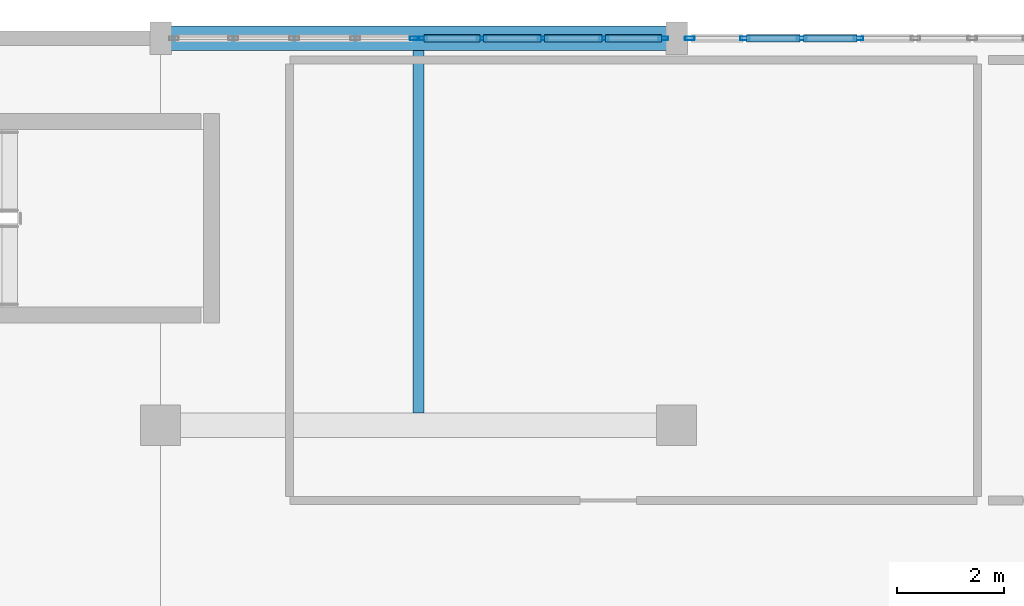
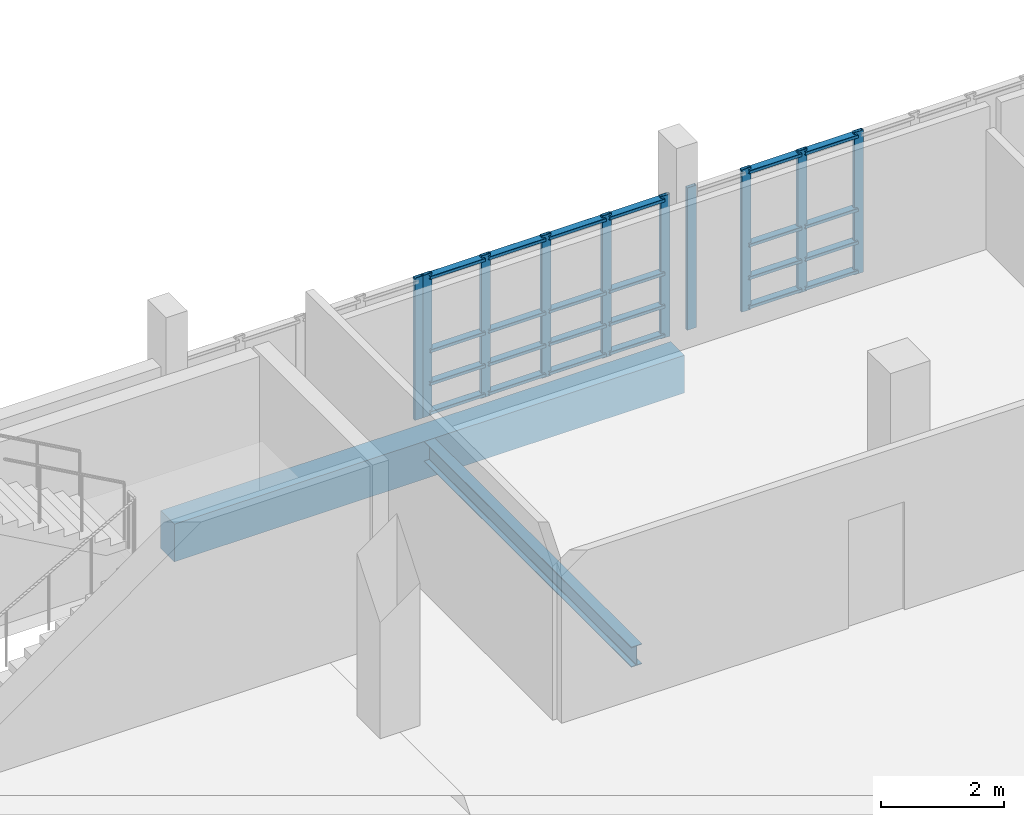
# One storey, part 124 of 188: 34 members, 2 beams, 3 elements without a shape of their own.
"""IFC4 building model written with IfcOpenShell, lengths in metres."""

from ifc_helpers import new_model, si_unit, direction, frame, origin, origin_2d, place, context, subcontext, project, spatial, rectangle, hollow_rectangle, i_section, extrude, material, layer, layer_set, material_profile, profile_set, type_object, element, aggregate, save


model = new_model("IFC4")

# Units and contexts
model_context = context("Model", 3, precision=1e-05, world=origin(), true_north=direction((0.0, 1.0)))
body_context = subcontext(model_context, "Body", "Model", "MODEL_VIEW")
ifc_project = project(units=[si_unit("LENGTHUNIT", "METRE"), si_unit("AREAUNIT", "SQUARE_METRE"), si_unit("VOLUMEUNIT", "CUBIC_METRE"), si_unit("PLANEANGLEUNIT", "RADIAN"), si_unit("MASSUNIT", "GRAM", prefix="KILO")], contexts=[model_context])

# Site, building, storey
site_placement = place(None, origin())
site = spatial("IfcSite", under=ifc_project, at=site_placement, CompositionType="ELEMENT")
building_placement = place(site_placement, origin())
building = spatial("IfcBuilding", under=site, at=building_placement, Name="Kisaragi Civic Commons", CompositionType="ELEMENT")
storey_placement = place(building_placement, frame((0.0, 0.0, 9.60009765625)))
storey = spatial("IfcBuildingStorey", under=building, at=storey_placement, Name="L02", CompositionType="ELEMENT", Elevation=9.60009765625)

# Curtain wall, member
ifc_material_1 = material(Name="Thermally broken anodized aluminium and low-E double glazing", Category="aluminium")
ifc_layer = layer(ifc_material_1, 0.179931640625, Name="Thermally broken anodized aluminium and low-E double glazing", Category="aluminium")
ifc_layer_set = layer_set([ifc_layer], Name="Thermally broken anodized aluminium and low-E double glazing")
curtain_wall_type = type_object("IfcCurtainWallType", Name="CW-01", PredefinedType="NOTDEFINED", material=ifc_layer_set)
curtain_wall_1_placement = place(storey_placement, origin())
curtain_wall_1 = element("IfcCurtainWall", 1, at=curtain_wall_1_placement, inside=storey, type_object=curtain_wall_type, Name="L02 curtain wall CW-01 CW-V4-L02-085", PredefinedType="NOTDEFINED")
ifc_material_profile_1 = material_profile(ifc_material_1, hollow_rectangle(XDim=0.06494140625, YDim=0.179931640625, WallThickness=0.00439453125, InnerFilletRadius=0.00439453125, OuterFilletRadius=0.009033203125, at=origin_2d()), Name="CWM-65x180x4.5", Category="aluminium")
ifc_profile_set_1 = profile_set([ifc_material_profile_1], Name="Thermally broken anodized aluminium and low-E double glazing")
member_type_1 = type_object("IfcMemberType", Name="CWM-02", PredefinedType="MULLION", material=ifc_profile_set_1)
member_1_placement = place(storey_placement, frame((128.327392578125, 118.800048828125, 0.0), z_axis=(0.0, 0.0, 1.0), x_axis=(0.0, 1.0, 0.0)))
member_1 = element("IfcMember", 2, at=member_1_placement, type_object=member_type_1, Name="CW-01 mullion 5", PredefinedType="MULLION", context=body_context, shape_type="SweptSolid", body=[
    extrude(hollow_rectangle(XDim=0.06494140625, YDim=0.179931640625, WallThickness=0.00439453125, InnerFilletRadius=0.00439453125, OuterFilletRadius=0.009033203125, at=origin_2d()), origin(), (0.0, 0.0, 1.0), 2.829833984375),
])
aggregate(curtain_wall_1, [member_1])

# Curtain wall, members
curtain_wall_2_placement = place(storey_placement, origin())
curtain_wall_2 = element("IfcCurtainWall", 3, at=curtain_wall_2_placement, inside=storey, type_object=curtain_wall_type, Name="L02 curtain wall CW-01 CW-V4-L02-086", PredefinedType="NOTDEFINED")
member_2_placement = place(storey_placement, frame((128.472412109375, 118.800048828125, 0.0), z_axis=(0.0, 0.0, 1.0), x_axis=(0.0, 1.0, 0.0)))
member_2 = element("IfcMember", 4, at=member_2_placement, type_object=member_type_1, Name="CW-01 mullion 1", PredefinedType="MULLION", context=body_context, shape_type="SweptSolid", body=[
    extrude(hollow_rectangle(XDim=0.06494140625, YDim=0.179931640625, WallThickness=0.00439453125, InnerFilletRadius=0.00439453125, OuterFilletRadius=0.009033203125, at=origin_2d()), origin(), (0.0, 0.0, 1.0), 2.829833984375),
])
member_3_placement = place(storey_placement, frame((129.576171875, 118.800048828125, 0.0), z_axis=(0.0, 0.0, 1.0), x_axis=(0.0, 1.0, 0.0)))
member_3 = element("IfcMember", 5, at=member_3_placement, type_object=member_type_1, Name="CW-01 mullion 2", PredefinedType="MULLION", context=body_context, shape_type="SweptSolid", body=[
    extrude(hollow_rectangle(XDim=0.06494140625, YDim=0.179931640625, WallThickness=0.00439453125, InnerFilletRadius=0.00439453125, OuterFilletRadius=0.009033203125, at=origin_2d()), origin(), (0.0, 0.0, 1.0), 2.829833984375),
])
member_4_placement = place(storey_placement, frame((130.71240234375, 118.800048828125, 0.0), z_axis=(0.0, 0.0, 1.0), x_axis=(0.0, 1.0, 0.0)))
member_4 = element("IfcMember", 6, at=member_4_placement, type_object=member_type_1, Name="CW-01 mullion 3", PredefinedType="MULLION", context=body_context, shape_type="SweptSolid", body=[
    extrude(hollow_rectangle(XDim=0.06494140625, YDim=0.179931640625, WallThickness=0.00439453125, InnerFilletRadius=0.00439453125, OuterFilletRadius=0.009033203125, at=origin_2d()), origin(), (0.0, 0.0, 1.0), 2.829833984375),
])
member_5_placement = place(storey_placement, frame((131.8486328125, 118.800048828125, 0.0), z_axis=(0.0, 0.0, 1.0), x_axis=(0.0, 1.0, 0.0)))
member_5 = element("IfcMember", 7, at=member_5_placement, type_object=member_type_1, Name="CW-01 mullion 4", PredefinedType="MULLION", context=body_context, shape_type="SweptSolid", body=[
    extrude(hollow_rectangle(XDim=0.06494140625, YDim=0.179931640625, WallThickness=0.00439453125, InnerFilletRadius=0.00439453125, OuterFilletRadius=0.009033203125, at=origin_2d()), origin(), (0.0, 0.0, 1.0), 2.829833984375),
])
member_6_placement = place(storey_placement, frame((132.952392578125, 118.800048828125, 0.0), z_axis=(0.0, 0.0, 1.0), x_axis=(0.0, 1.0, 0.0)))
member_6 = element("IfcMember", 8, at=member_6_placement, type_object=member_type_1, Name="CW-01 mullion 5", PredefinedType="MULLION", context=body_context, shape_type="SweptSolid", body=[
    extrude(hollow_rectangle(XDim=0.06494140625, YDim=0.179931640625, WallThickness=0.00439453125, InnerFilletRadius=0.00439453125, OuterFilletRadius=0.009033203125, at=origin_2d()), origin(), (0.0, 0.0, 1.0), 2.829833984375),
])

curtain_wall_3_placement = place(storey_placement, origin())
curtain_wall_3 = element("IfcCurtainWall", 9, at=curtain_wall_3_placement, inside=storey, type_object=curtain_wall_type, Name="L02 curtain wall CW-01 CW-V4-L02-087", PredefinedType="NOTDEFINED")
member_7_placement = place(storey_placement, frame((133.447509765625, 118.800048828125, 0.0), z_axis=(0.0, 0.0, 1.0), x_axis=(0.0, 1.0, 0.0)))
member_7 = element("IfcMember", 10, at=member_7_placement, type_object=member_type_1, Name="CW-01 mullion 1", PredefinedType="MULLION", context=body_context, shape_type="SweptSolid", body=[
    extrude(hollow_rectangle(XDim=0.06494140625, YDim=0.179931640625, WallThickness=0.00439453125, InnerFilletRadius=0.00439453125, OuterFilletRadius=0.009033203125, at=origin_2d()), origin(), (0.0, 0.0, 1.0), 2.829833984375),
])
member_8_placement = place(storey_placement, frame((134.472412109375, 118.800048828125, 0.0), z_axis=(0.0, 0.0, 1.0), x_axis=(0.0, 1.0, 0.0)))
member_8 = element("IfcMember", 11, at=member_8_placement, type_object=member_type_1, Name="CW-01 mullion 2", PredefinedType="MULLION", context=body_context, shape_type="SweptSolid", body=[
    extrude(hollow_rectangle(XDim=0.06494140625, YDim=0.179931640625, WallThickness=0.00439453125, InnerFilletRadius=0.00439453125, OuterFilletRadius=0.009033203125, at=origin_2d()), origin(), (0.0, 0.0, 1.0), 2.829833984375),
])
member_9_placement = place(storey_placement, frame((135.530029296875, 118.800048828125, 0.0), z_axis=(0.0, 0.0, 1.0), x_axis=(0.0, 1.0, 0.0)))
member_9 = element("IfcMember", 12, at=member_9_placement, type_object=member_type_1, Name="CW-01 mullion 3", PredefinedType="MULLION", context=body_context, shape_type="SweptSolid", body=[
    extrude(hollow_rectangle(XDim=0.06494140625, YDim=0.179931640625, WallThickness=0.00439453125, InnerFilletRadius=0.00439453125, OuterFilletRadius=0.009033203125, at=origin_2d()), origin(), (0.0, 0.0, 1.0), 2.829833984375),
])
member_10_placement = place(storey_placement, frame((136.58740234375, 118.800048828125, 0.0), z_axis=(0.0, 0.0, 1.0), x_axis=(0.0, 1.0, 0.0)))
member_10 = element("IfcMember", 13, at=member_10_placement, type_object=member_type_1, Name="CW-01 mullion 4", PredefinedType="MULLION", context=body_context, shape_type="SweptSolid", body=[
    extrude(hollow_rectangle(XDim=0.06494140625, YDim=0.179931640625, WallThickness=0.00439453125, InnerFilletRadius=0.00439453125, OuterFilletRadius=0.009033203125, at=origin_2d()), origin(), (0.0, 0.0, 1.0), 2.829833984375),
])

# Member
ifc_material_profile_2 = material_profile(ifc_material_1, hollow_rectangle(XDim=0.139892578125, YDim=0.06494140625, WallThickness=0.00439453125, InnerFilletRadius=0.00439453125, OuterFilletRadius=0.009033203125, at=origin_2d()), Name="CWT-65x140x4.5", Category="aluminium")
ifc_profile_set_2 = profile_set([ifc_material_profile_2], Name="Thermally broken anodized aluminium and low-E double glazing")
member_type_2 = type_object("IfcMemberType", Name="CWT-02", PredefinedType="USERDEFINED", material=ifc_profile_set_2)
member_11_placement = place(storey_placement, frame((128.5048828125, 118.800048828125, 0.06982421875), z_axis=(1.0, 0.0, 0.0), x_axis=(0.0, 1.0, 0.0)))
member_11 = element("IfcMember", 14, at=member_11_placement, type_object=member_type_2, Name="CW-01 transom 1.1", ObjectType="TRANSOM", PredefinedType="USERDEFINED", context=body_context, shape_type="SweptSolid", body=[
    extrude(hollow_rectangle(XDim=0.139892578125, YDim=0.06494140625, WallThickness=0.00439453125, InnerFilletRadius=0.00439453125, OuterFilletRadius=0.009033203125, at=origin_2d()), origin(), (0.0, 0.0, 1.0), 1.038818359375),
])

member_12_placement = place(storey_placement, frame((128.5048828125, 118.800048828125, 0.64990234375), z_axis=(1.0, 0.0, 0.0), x_axis=(0.0, 1.0, 0.0)))
member_12 = element("IfcMember", 15, at=member_12_placement, type_object=member_type_2, Name="CW-01 transom 1.2", ObjectType="TRANSOM", PredefinedType="USERDEFINED", context=body_context, shape_type="SweptSolid", body=[
    extrude(hollow_rectangle(XDim=0.139892578125, YDim=0.06494140625, WallThickness=0.00439453125, InnerFilletRadius=0.00439453125, OuterFilletRadius=0.009033203125, at=origin_2d()), origin(), (0.0, 0.0, 1.0), 1.038818359375),
])

member_13_placement = place(storey_placement, frame((128.5048828125, 118.800048828125, 1.2998046875), z_axis=(1.0, 0.0, 0.0), x_axis=(0.0, 1.0, 0.0)))
member_13 = element("IfcMember", 16, at=member_13_placement, type_object=member_type_2, Name="CW-01 transom 1.3", ObjectType="TRANSOM", PredefinedType="USERDEFINED", context=body_context, shape_type="SweptSolid", body=[
    extrude(hollow_rectangle(XDim=0.139892578125, YDim=0.06494140625, WallThickness=0.00439453125, InnerFilletRadius=0.00439453125, OuterFilletRadius=0.009033203125, at=origin_2d()), origin(), (0.0, 0.0, 1.0), 1.038818359375),
])

member_14_placement = place(storey_placement, frame((128.5048828125, 118.800048828125, 2.760009765625), z_axis=(1.0, 0.0, 0.0), x_axis=(0.0, 1.0, 0.0)))
member_14 = element("IfcMember", 17, at=member_14_placement, type_object=member_type_2, Name="CW-01 transom 1.4", ObjectType="TRANSOM", PredefinedType="USERDEFINED", context=body_context, shape_type="SweptSolid", body=[
    extrude(hollow_rectangle(XDim=0.139892578125, YDim=0.06494140625, WallThickness=0.00439453125, InnerFilletRadius=0.00439453125, OuterFilletRadius=0.009033203125, at=origin_2d()), origin(), (0.0, 0.0, 1.0), 1.038818359375),
])

member_15_placement = place(storey_placement, frame((129.608642578125, 118.800048828125, 0.06982421875), z_axis=(1.0, 0.0, 0.0), x_axis=(0.0, 1.0, 0.0)))
member_15 = element("IfcMember", 18, at=member_15_placement, type_object=member_type_2, Name="CW-01 transom 2.1", ObjectType="TRANSOM", PredefinedType="USERDEFINED", context=body_context, shape_type="SweptSolid", body=[
    extrude(hollow_rectangle(XDim=0.139892578125, YDim=0.06494140625, WallThickness=0.00439453125, InnerFilletRadius=0.00439453125, OuterFilletRadius=0.009033203125, at=origin_2d()), origin(), (0.0, 0.0, 1.0), 1.0712890625),
])

member_16_placement = place(storey_placement, frame((129.608642578125, 118.800048828125, 0.64990234375), z_axis=(1.0, 0.0, 0.0), x_axis=(0.0, 1.0, 0.0)))
member_16 = element("IfcMember", 19, at=member_16_placement, type_object=member_type_2, Name="CW-01 transom 2.2", ObjectType="TRANSOM", PredefinedType="USERDEFINED", context=body_context, shape_type="SweptSolid", body=[
    extrude(hollow_rectangle(XDim=0.139892578125, YDim=0.06494140625, WallThickness=0.00439453125, InnerFilletRadius=0.00439453125, OuterFilletRadius=0.009033203125, at=origin_2d()), origin(), (0.0, 0.0, 1.0), 1.0712890625),
])

member_17_placement = place(storey_placement, frame((129.608642578125, 118.800048828125, 1.2998046875), z_axis=(1.0, 0.0, 0.0), x_axis=(0.0, 1.0, 0.0)))
member_17 = element("IfcMember", 20, at=member_17_placement, type_object=member_type_2, Name="CW-01 transom 2.3", ObjectType="TRANSOM", PredefinedType="USERDEFINED", context=body_context, shape_type="SweptSolid", body=[
    extrude(hollow_rectangle(XDim=0.139892578125, YDim=0.06494140625, WallThickness=0.00439453125, InnerFilletRadius=0.00439453125, OuterFilletRadius=0.009033203125, at=origin_2d()), origin(), (0.0, 0.0, 1.0), 1.0712890625),
])

member_18_placement = place(storey_placement, frame((129.608642578125, 118.800048828125, 2.760009765625), z_axis=(1.0, 0.0, 0.0), x_axis=(0.0, 1.0, 0.0)))
member_18 = element("IfcMember", 21, at=member_18_placement, type_object=member_type_2, Name="CW-01 transom 2.4", ObjectType="TRANSOM", PredefinedType="USERDEFINED", context=body_context, shape_type="SweptSolid", body=[
    extrude(hollow_rectangle(XDim=0.139892578125, YDim=0.06494140625, WallThickness=0.00439453125, InnerFilletRadius=0.00439453125, OuterFilletRadius=0.009033203125, at=origin_2d()), origin(), (0.0, 0.0, 1.0), 1.0712890625),
])

member_19_placement = place(storey_placement, frame((130.7451171875, 118.800048828125, 0.06982421875), z_axis=(1.0, 0.0, 0.0), x_axis=(0.0, 1.0, 0.0)))
member_19 = element("IfcMember", 22, at=member_19_placement, type_object=member_type_2, Name="CW-01 transom 3.1", ObjectType="TRANSOM", PredefinedType="USERDEFINED", context=body_context, shape_type="SweptSolid", body=[
    extrude(hollow_rectangle(XDim=0.139892578125, YDim=0.06494140625, WallThickness=0.00439453125, InnerFilletRadius=0.00439453125, OuterFilletRadius=0.009033203125, at=origin_2d()), origin(), (0.0, 0.0, 1.0), 1.071044921875),
])

member_20_placement = place(storey_placement, frame((130.7451171875, 118.800048828125, 0.64990234375), z_axis=(1.0, 0.0, 0.0), x_axis=(0.0, 1.0, 0.0)))
member_20 = element("IfcMember", 23, at=member_20_placement, type_object=member_type_2, Name="CW-01 transom 3.2", ObjectType="TRANSOM", PredefinedType="USERDEFINED", context=body_context, shape_type="SweptSolid", body=[
    extrude(hollow_rectangle(XDim=0.139892578125, YDim=0.06494140625, WallThickness=0.00439453125, InnerFilletRadius=0.00439453125, OuterFilletRadius=0.009033203125, at=origin_2d()), origin(), (0.0, 0.0, 1.0), 1.071044921875),
])

member_21_placement = place(storey_placement, frame((130.7451171875, 118.800048828125, 1.2998046875), z_axis=(1.0, 0.0, 0.0), x_axis=(0.0, 1.0, 0.0)))
member_21 = element("IfcMember", 24, at=member_21_placement, type_object=member_type_2, Name="CW-01 transom 3.3", ObjectType="TRANSOM", PredefinedType="USERDEFINED", context=body_context, shape_type="SweptSolid", body=[
    extrude(hollow_rectangle(XDim=0.139892578125, YDim=0.06494140625, WallThickness=0.00439453125, InnerFilletRadius=0.00439453125, OuterFilletRadius=0.009033203125, at=origin_2d()), origin(), (0.0, 0.0, 1.0), 1.071044921875),
])

member_22_placement = place(storey_placement, frame((130.7451171875, 118.800048828125, 2.760009765625), z_axis=(1.0, 0.0, 0.0), x_axis=(0.0, 1.0, 0.0)))
member_22 = element("IfcMember", 25, at=member_22_placement, type_object=member_type_2, Name="CW-01 transom 3.4", ObjectType="TRANSOM", PredefinedType="USERDEFINED", context=body_context, shape_type="SweptSolid", body=[
    extrude(hollow_rectangle(XDim=0.139892578125, YDim=0.06494140625, WallThickness=0.00439453125, InnerFilletRadius=0.00439453125, OuterFilletRadius=0.009033203125, at=origin_2d()), origin(), (0.0, 0.0, 1.0), 1.071044921875),
])

member_23_placement = place(storey_placement, frame((131.88134765625, 118.800048828125, 0.06982421875), z_axis=(1.0, 0.0, 0.0), x_axis=(0.0, 1.0, 0.0)))
member_23 = element("IfcMember", 26, at=member_23_placement, type_object=member_type_2, Name="CW-01 transom 4.1", ObjectType="TRANSOM", PredefinedType="USERDEFINED", context=body_context, shape_type="SweptSolid", body=[
    extrude(hollow_rectangle(XDim=0.139892578125, YDim=0.06494140625, WallThickness=0.00439453125, InnerFilletRadius=0.00439453125, OuterFilletRadius=0.009033203125, at=origin_2d()), origin(), (0.0, 0.0, 1.0), 1.03857421875),
])

member_24_placement = place(storey_placement, frame((131.88134765625, 118.800048828125, 0.64990234375), z_axis=(1.0, 0.0, 0.0), x_axis=(0.0, 1.0, 0.0)))
member_24 = element("IfcMember", 27, at=member_24_placement, type_object=member_type_2, Name="CW-01 transom 4.2", ObjectType="TRANSOM", PredefinedType="USERDEFINED", context=body_context, shape_type="SweptSolid", body=[
    extrude(hollow_rectangle(XDim=0.139892578125, YDim=0.06494140625, WallThickness=0.00439453125, InnerFilletRadius=0.00439453125, OuterFilletRadius=0.009033203125, at=origin_2d()), origin(), (0.0, 0.0, 1.0), 1.03857421875),
])

member_25_placement = place(storey_placement, frame((131.88134765625, 118.800048828125, 1.2998046875), z_axis=(1.0, 0.0, 0.0), x_axis=(0.0, 1.0, 0.0)))
member_25 = element("IfcMember", 28, at=member_25_placement, type_object=member_type_2, Name="CW-01 transom 4.3", ObjectType="TRANSOM", PredefinedType="USERDEFINED", context=body_context, shape_type="SweptSolid", body=[
    extrude(hollow_rectangle(XDim=0.139892578125, YDim=0.06494140625, WallThickness=0.00439453125, InnerFilletRadius=0.00439453125, OuterFilletRadius=0.009033203125, at=origin_2d()), origin(), (0.0, 0.0, 1.0), 1.03857421875),
])

member_26_placement = place(storey_placement, frame((131.88134765625, 118.800048828125, 2.760009765625), z_axis=(1.0, 0.0, 0.0), x_axis=(0.0, 1.0, 0.0)))
member_26 = element("IfcMember", 29, at=member_26_placement, type_object=member_type_2, Name="CW-01 transom 4.4", ObjectType="TRANSOM", PredefinedType="USERDEFINED", context=body_context, shape_type="SweptSolid", body=[
    extrude(hollow_rectangle(XDim=0.139892578125, YDim=0.06494140625, WallThickness=0.00439453125, InnerFilletRadius=0.00439453125, OuterFilletRadius=0.009033203125, at=origin_2d()), origin(), (0.0, 0.0, 1.0), 1.03857421875),
])

aggregate(curtain_wall_2, [member_2, member_3, member_4, member_5, member_6, member_11, member_12, member_13, member_14, member_15, member_16, member_17, member_18, member_19, member_20, member_21, member_22, member_23, member_24, member_25, member_26])

member_27_placement = place(storey_placement, frame((134.5048828125, 118.800048828125, 0.06982421875), z_axis=(1.0, 0.0, 0.0), x_axis=(0.0, 1.0, 0.0)))
member_27 = element("IfcMember", 30, at=member_27_placement, type_object=member_type_2, Name="CW-01 transom 2.1", ObjectType="TRANSOM", PredefinedType="USERDEFINED", context=body_context, shape_type="SweptSolid", body=[
    extrude(hollow_rectangle(XDim=0.139892578125, YDim=0.06494140625, WallThickness=0.00439453125, InnerFilletRadius=0.00439453125, OuterFilletRadius=0.009033203125, at=origin_2d()), origin(), (0.0, 0.0, 1.0), 0.99267578125),
])

member_28_placement = place(storey_placement, frame((134.5048828125, 118.800048828125, 0.64990234375), z_axis=(1.0, 0.0, 0.0), x_axis=(0.0, 1.0, 0.0)))
member_28 = element("IfcMember", 31, at=member_28_placement, type_object=member_type_2, Name="CW-01 transom 2.2", ObjectType="TRANSOM", PredefinedType="USERDEFINED", context=body_context, shape_type="SweptSolid", body=[
    extrude(hollow_rectangle(XDim=0.139892578125, YDim=0.06494140625, WallThickness=0.00439453125, InnerFilletRadius=0.00439453125, OuterFilletRadius=0.009033203125, at=origin_2d()), origin(), (0.0, 0.0, 1.0), 0.99267578125),
])

member_29_placement = place(storey_placement, frame((134.5048828125, 118.800048828125, 1.2998046875), z_axis=(1.0, 0.0, 0.0), x_axis=(0.0, 1.0, 0.0)))
member_29 = element("IfcMember", 32, at=member_29_placement, type_object=member_type_2, Name="CW-01 transom 2.3", ObjectType="TRANSOM", PredefinedType="USERDEFINED", context=body_context, shape_type="SweptSolid", body=[
    extrude(hollow_rectangle(XDim=0.139892578125, YDim=0.06494140625, WallThickness=0.00439453125, InnerFilletRadius=0.00439453125, OuterFilletRadius=0.009033203125, at=origin_2d()), origin(), (0.0, 0.0, 1.0), 0.99267578125),
])

member_30_placement = place(storey_placement, frame((134.5048828125, 118.800048828125, 2.760009765625), z_axis=(1.0, 0.0, 0.0), x_axis=(0.0, 1.0, 0.0)))
member_30 = element("IfcMember", 33, at=member_30_placement, type_object=member_type_2, Name="CW-01 transom 2.4", ObjectType="TRANSOM", PredefinedType="USERDEFINED", context=body_context, shape_type="SweptSolid", body=[
    extrude(hollow_rectangle(XDim=0.139892578125, YDim=0.06494140625, WallThickness=0.00439453125, InnerFilletRadius=0.00439453125, OuterFilletRadius=0.009033203125, at=origin_2d()), origin(), (0.0, 0.0, 1.0), 0.99267578125),
])

member_31_placement = place(storey_placement, frame((135.5625, 118.800048828125, 0.06982421875), z_axis=(1.0, 0.0, 0.0), x_axis=(0.0, 1.0, 0.0)))
member_31 = element("IfcMember", 34, at=member_31_placement, type_object=member_type_2, Name="CW-01 transom 3.1", ObjectType="TRANSOM", PredefinedType="USERDEFINED", context=body_context, shape_type="SweptSolid", body=[
    extrude(hollow_rectangle(XDim=0.139892578125, YDim=0.06494140625, WallThickness=0.00439453125, InnerFilletRadius=0.00439453125, OuterFilletRadius=0.009033203125, at=origin_2d()), origin(), (0.0, 0.0, 1.0), 0.992431640625),
])

member_32_placement = place(storey_placement, frame((135.5625, 118.800048828125, 0.64990234375), z_axis=(1.0, 0.0, 0.0), x_axis=(0.0, 1.0, 0.0)))
member_32 = element("IfcMember", 35, at=member_32_placement, type_object=member_type_2, Name="CW-01 transom 3.2", ObjectType="TRANSOM", PredefinedType="USERDEFINED", context=body_context, shape_type="SweptSolid", body=[
    extrude(hollow_rectangle(XDim=0.139892578125, YDim=0.06494140625, WallThickness=0.00439453125, InnerFilletRadius=0.00439453125, OuterFilletRadius=0.009033203125, at=origin_2d()), origin(), (0.0, 0.0, 1.0), 0.992431640625),
])

member_33_placement = place(storey_placement, frame((135.5625, 118.800048828125, 1.2998046875), z_axis=(1.0, 0.0, 0.0), x_axis=(0.0, 1.0, 0.0)))
member_33 = element("IfcMember", 36, at=member_33_placement, type_object=member_type_2, Name="CW-01 transom 3.3", ObjectType="TRANSOM", PredefinedType="USERDEFINED", context=body_context, shape_type="SweptSolid", body=[
    extrude(hollow_rectangle(XDim=0.139892578125, YDim=0.06494140625, WallThickness=0.00439453125, InnerFilletRadius=0.00439453125, OuterFilletRadius=0.009033203125, at=origin_2d()), origin(), (0.0, 0.0, 1.0), 0.992431640625),
])

member_34_placement = place(storey_placement, frame((135.5625, 118.800048828125, 2.760009765625), z_axis=(1.0, 0.0, 0.0), x_axis=(0.0, 1.0, 0.0)))
member_34 = element("IfcMember", 37, at=member_34_placement, type_object=member_type_2, Name="CW-01 transom 3.4", ObjectType="TRANSOM", PredefinedType="USERDEFINED", context=body_context, shape_type="SweptSolid", body=[
    extrude(hollow_rectangle(XDim=0.139892578125, YDim=0.06494140625, WallThickness=0.00439453125, InnerFilletRadius=0.00439453125, OuterFilletRadius=0.009033203125, at=origin_2d()), origin(), (0.0, 0.0, 1.0), 0.992431640625),
])

aggregate(curtain_wall_3, [member_7, member_8, member_9, member_10, member_27, member_28, member_29, member_30, member_31, member_32, member_33, member_34])

# Beams
ifc_material_2 = material(Name="Steel SN400 (SN400B)", Category="steel")
ifc_material_profile_3 = material_profile(ifc_material_2, i_section(OverallWidth=0.199951171875, OverallDepth=0.39990234375, WebThickness=0.008056640625, FlangeThickness=0.012939453125, FilletRadius=0.012939453125, at=origin_2d()), Name="H-400x200x8x13", Category="steel")
ifc_profile_set_3 = profile_set([ifc_material_profile_3], Name="Steel SN400 (SN400B)")
beam_type_1 = type_object("IfcBeamType", Name="J-01", PredefinedType="JOIST", material=ifc_profile_set_3)
beam_1_placement = place(storey_placement, frame((128.39990234375, 111.824951171875, -0.52001953125), z_axis=(0.0, 1.0, 0.0), x_axis=(-1.0, 0.0, 0.0)))
element("IfcBeam", 38, at=beam_1_placement, inside=storey, type_object=beam_type_1, Name="L02 secondary steel joist J-01 64", PredefinedType="JOIST", context=body_context, shape_type="SweptSolid", body=[
    extrude(i_section(OverallWidth=0.199951171875, OverallDepth=0.39990234375, WebThickness=0.008056640625, FlangeThickness=0.012939453125, FilletRadius=0.012939453125, at=origin_2d()), origin(), (0.0, 0.0, 1.0), 6.75),
])
ifc_material_3 = material(Name="Concrete Fc30", Category="concrete")
ifc_material_profile_4 = material_profile(ifc_material_3, rectangle(XDim=0.449951171875, YDim=0.75, at=origin_2d()), Name="RC-450x750", Category="concrete")
ifc_profile_set_4 = profile_set([ifc_material_profile_4], Name="Concrete Fc30")
beam_type_2 = type_object("IfcBeamType", Name="SPB-04", PredefinedType="SPANDREL", material=ifc_profile_set_4)
beam_2_placement = place(storey_placement, frame((123.60009765625, 118.800048828125, -0.695068359375), z_axis=(1.0, 0.0, 0.0), x_axis=(0.0, 1.0, 0.0)))
element("IfcBeam", 39, at=beam_2_placement, inside=storey, type_object=beam_type_2, Name="L02 girder SPB-04 313", PredefinedType="SPANDREL", context=body_context, shape_type="SweptSolid", body=[
    extrude(rectangle(XDim=0.449951171875, YDim=0.75, at=origin_2d()), origin(), (0.0, 0.0, 1.0), 9.599853515625),
])

save(model, "model.ifc")
